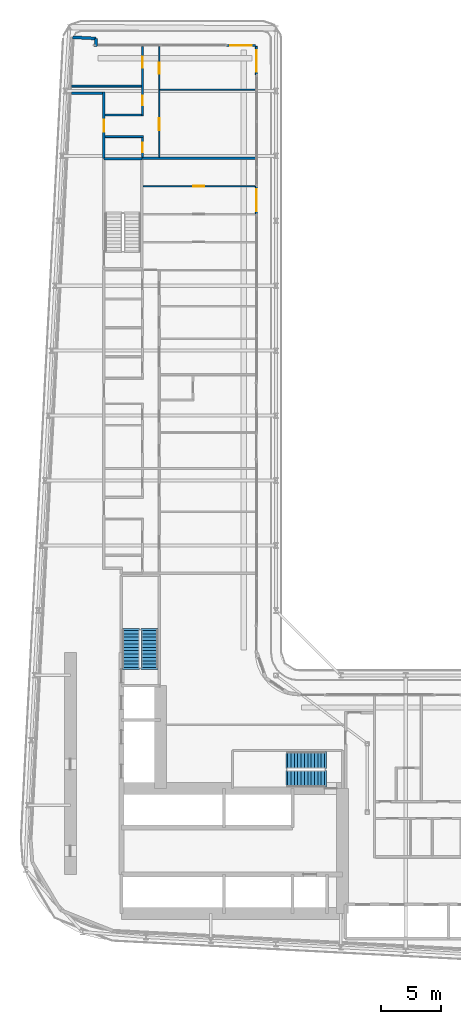
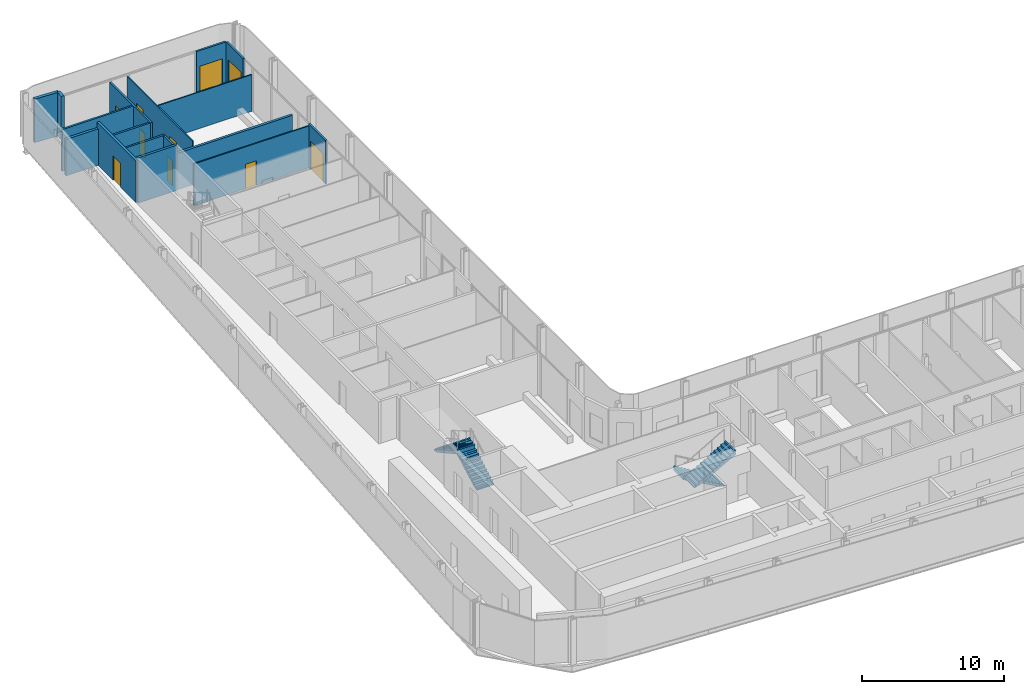
# One storey, part 20 of 28: 17 walls, 10 doors, 4 stair flights, 10 openings, 2 elements without a shape of their own.
"""IFC4 building model written with IfcOpenShell, lengths in metres."""

from ifc_helpers import new_model, si_unit, direction, frame, frame_2d, origin, place, context, subcontext, project, spatial, polyline, rectangle, outline, extrude, source, transform, mapped, material, layer, layer_set, type_object, element, fill, aggregate, save


model = new_model("IFC4")

# Units and contexts
model_context = context("Model", 3, precision=1e-05, world=origin(), true_north=direction((0.0, 1.0)))
body_context = subcontext(model_context, "Body", "Model", "MODEL_VIEW")
ifc_project = project(units=[si_unit("LENGTHUNIT", "METRE"), si_unit("AREAUNIT", "SQUARE_METRE"), si_unit("VOLUMEUNIT", "CUBIC_METRE"), si_unit("PLANEANGLEUNIT", "RADIAN"), si_unit("MASSUNIT", "GRAM", prefix="KILO")], contexts=[model_context])

# Site, building, storey
site_placement = place(None, origin())
site = spatial("IfcSite", under=ifc_project, at=site_placement, CompositionType="ELEMENT")
building_placement = place(site_placement, origin())
building = spatial("IfcBuilding", under=site, at=building_placement, Name="Kheshtan School and Residences Tower", CompositionType="ELEMENT")
storey_placement = place(building_placement, frame((0.0, 0.0, 42.199951171875)))
storey = spatial("IfcBuildingStorey", under=building, at=storey_placement, Name="L09", CompositionType="ELEMENT", Elevation=42.199951171875)

# Wall
ifc_material_1 = material(Name="Gypsum board on steel studs with fire boards", Category="steel")
ifc_layer_1 = layer(ifc_material_1, 0.199951171875)
ifc_layer_set_1 = layer_set([ifc_layer_1], Name="Corridor wall 200")
wall_type_1 = type_object("IfcWallType", Name="Corridor wall 200", PredefinedType="PARTITIONING", material=ifc_layer_set_1)
wall_1_placement = place(storey_placement, frame((30.584716796875, 94.0, 0.0), z_axis=(0.0, 0.0, 1.0), x_axis=(1.0, 0.0, 0.0)))
element("IfcWall", 1, at=wall_1_placement, inside=storey, type_object=wall_type_1, Name="Partition L09-002", PredefinedType="PARTITIONING", context=body_context, shape_type="SweptSolid", body=[
    extrude(rectangle(XDim=2.615234375, YDim=0.199951171875, at=frame_2d((1.3076171875, 0.0))), origin(), (0.0, 0.0, 1.0), 3.14697265625),
])

# Wall, opening, door
wall_2_placement = place(storey_placement, frame((33.300048828125, 88.60009765625, 0.0), z_axis=(0.0, 0.0, 1.0), x_axis=(0.0, 1.0, 0.0)))
wall_2 = element("IfcWall", 2, at=wall_2_placement, inside=storey, type_object=wall_type_1, Name="Partition L09-004", PredefinedType="PARTITIONING", context=body_context, shape_type="SweptSolid", body=[
    extrude(rectangle(XDim=5.5, YDim=0.199951171875, at=frame_2d((2.75, 0.0))), origin(), (0.0, 0.0, 1.0), 3.60009765625),
])
opening_1_placement = place(wall_2_placement, frame((2.199951171875, 0.0, 0.0)))
opening_1 = element("IfcOpeningElement", 3, at=opening_1_placement, cuts=wall_2, Name="Opening D08-052", PredefinedType="OPENING", context=body_context, shape_type="SweptSolid", body=[
    extrude(rectangle(XDim=1.0, YDim=2.10009765625, at=frame_2d((0.5, 1.050048828125))), frame((0.0, 0.10986328125, 0.0), z_axis=(0.0, -1.0, 0.0), x_axis=(1.0, 0.0, 0.0)), (0.0, 0.0, 1.0), 0.219970703125),
])
ifc_material_2 = material(Name="Steel-framed fire-resisting door leaf", Category="steel")
door_type_1 = type_object("IfcDoorType", Name="Fire door FD30S 1000 x 2100", OperationType="SINGLE_SWING_LEFT", PredefinedType="DOOR", material=ifc_material_2)
shared_shape_1 = source(origin(), body_context, "Body", "SweptSolid", [
    extrude(rectangle(XDim=1.0, YDim=2.10009765625, at=frame_2d((0.5, 1.050048828125))), frame((0.0, 0.02490234375, 0.0), z_axis=(0.0, -1.0, 0.0), x_axis=(1.0, 0.0, 0.0)), (0.0, 0.0, 1.0), 0.050048828125),
])
door_1_placement = place(opening_1_placement, origin())
door_1 = element("IfcDoor", 4, at=door_1_placement, inside=storey, type_object=door_type_1, Name="Door D08-052", OperationType="SINGLE_SWING_LEFT", OverallHeight=2.10009765625, OverallWidth=1.0, PredefinedType="DOOR", context=body_context, shape_type="MappedRepresentation", body=[
    mapped(shared_shape_1, transform((0.0, 0.0, 0.0), x_axis=(1.0, 0.0, 0.0), y_axis=(0.0, 1.0, 0.0), z_axis=(0.0, 0.0, 1.0), scale=1.0)),
])
fill(opening_1, door_1)

# Walls
ifc_material_3 = material(Name="Concrete C40/50 with ceramic cladding and mineral wool insulation", Category="concrete")
ifc_layer_2 = layer(ifc_material_3, 0.25)
ifc_layer_set_2 = layer_set([ifc_layer_2], Name="External wall 250 ceramic clad")
wall_type_2 = type_object("IfcWallType", Name="External wall 250 ceramic clad", PredefinedType="SOLIDWALL", material=ifc_layer_set_2)
wall_3_placement = place(storey_placement, frame((30.705078125, 98.6640625, 0.0), z_axis=(0.0, 0.0, 1.0), x_axis=(0.998577785791, -0.053314216913, 0.0)))
element("IfcWall", 5, at=wall_3_placement, inside=storey, type_object=wall_type_2, Name="External wall L09 5", PredefinedType="SOLIDWALL", context=body_context, shape_type="SweptSolid", body=[
    extrude(rectangle(XDim=1.95068359375, YDim=0.25, at=frame_2d((0.975341796875, 0.0))), origin(), (0.0, 0.0, 1.0), 3.75),
])
wall_4_placement = place(storey_placement, frame((32.653076171875, 98.56005859375, 0.0), z_axis=(0.0, 0.0, 1.0), x_axis=(-0.054093451632, -0.998535877418, 0.0)))
element("IfcWall", 6, at=wall_4_placement, inside=storey, type_object=wall_type_2, Name="External wall L09 6", PredefinedType="SOLIDWALL", context=body_context, shape_type="SweptSolid", body=[
    extrude(rectangle(XDim=0.66796875, YDim=0.25, at=frame_2d((0.333984375, 0.0))), origin(), (0.0, 0.0, 1.0), 3.75),
])

# Wall, opening, door
ifc_material_4 = material(Name="Aluminium frame wall with insulated infill", Category="aluminium")
ifc_layer_3 = layer(ifc_material_4, 0.14990234375)
ifc_layer_set_3 = layer_set([ifc_layer_3], Name="Glazing frame wall 150")
wall_type_3 = type_object("IfcWallType", Name="Glazing frame wall 150", PredefinedType="SOLIDWALL", material=ifc_layer_set_3)
wall_5_placement = place(storey_placement, frame((43.5, 97.97509765625, 0.0), z_axis=(0.0, 0.0, 1.0), x_axis=(1.0, 0.0, 0.0)))
wall_5 = element("IfcWall", 7, at=wall_5_placement, inside=storey, type_object=wall_type_3, Name="Balcony door wall L09 7.1", PredefinedType="SOLIDWALL", context=body_context, shape_type="SweptSolid", body=[
    extrude(rectangle(XDim=2.39990234375, YDim=0.14990234375, at=frame_2d((1.199951171875, 0.0))), origin(), (0.0, 0.0, 1.0), 3.75),
])
opening_2_placement = place(wall_5_placement, frame((0.300048828125, 0.0, 0.0)))
opening_2 = element("IfcOpeningElement", 8, at=opening_2_placement, cuts=wall_5, Name="Opening BD", PredefinedType="OPENING", context=body_context, shape_type="SweptSolid", body=[
    extrude(rectangle(XDim=1.800048828125, YDim=2.39990234375, at=frame_2d((0.89990234375, 1.199951171875))), frame((0.0, 0.0849609375, 0.0), z_axis=(0.0, -1.0, 0.0), x_axis=(1.0, 0.0, 0.0)), (0.0, 0.0, 1.0), 0.169921875),
])
ifc_material_5 = material(Name="Clear low-e glass in thermally broken aluminium frame", Category="aluminium")
door_type_2 = type_object("IfcDoorType", Name="Balcony sliding door", OperationType="SLIDING_TO_LEFT", PredefinedType="DOOR", material=ifc_material_5)
shared_shape_2 = source(origin(), body_context, "Body", "SweptSolid", [
    extrude(rectangle(XDim=1.800048828125, YDim=2.39990234375, at=frame_2d((0.89990234375, 1.199951171875))), frame((0.0, 0.02490234375, 0.0), z_axis=(0.0, -1.0, 0.0), x_axis=(1.0, 0.0, 0.0)), (0.0, 0.0, 1.0), 0.050048828125),
])
door_2_placement = place(opening_2_placement, origin())
door_2 = element("IfcDoor", 9, at=door_2_placement, inside=storey, type_object=door_type_2, Name="Balcony door L09 7.1", OperationType="SLIDING_TO_LEFT", OverallHeight=2.39990234375, OverallWidth=1.800048828125, PredefinedType="DOOR", context=body_context, shape_type="MappedRepresentation", body=[
    mapped(shared_shape_2, transform((0.0, 0.0, 0.0), x_axis=(1.0, 0.0, 0.0), y_axis=(0.0, 1.0, 0.0), z_axis=(0.0, 0.0, 1.0), scale=1.0)),
])
fill(opening_2, door_2)

wall_6_placement = place(storey_placement, frame((45.97509765625, 97.89990234375, 0.0), z_axis=(0.0, 0.0, 1.0), x_axis=(0.0, -1.0, 0.0)))
wall_6 = element("IfcWall", 10, at=wall_6_placement, inside=storey, type_object=wall_type_3, Name="Balcony door wall L09 8.1", PredefinedType="SOLIDWALL", context=body_context, shape_type="SweptSolid", body=[
    extrude(rectangle(XDim=2.39990234375, YDim=0.14990234375, at=frame_2d((1.199951171875, 0.0))), origin(), (0.0, 0.0, 1.0), 3.75),
])
opening_3_placement = place(wall_6_placement, frame((0.300048828125, 0.0, 0.0)))
opening_3 = element("IfcOpeningElement", 11, at=opening_3_placement, cuts=wall_6, Name="Opening BD", PredefinedType="OPENING", context=body_context, shape_type="SweptSolid", body=[
    extrude(rectangle(XDim=1.800048828125, YDim=2.39990234375, at=frame_2d((0.89990234375, 1.199951171875))), frame((0.0, 0.0849609375, 0.0), z_axis=(0.0, -1.0, 0.0), x_axis=(1.0, 0.0, 0.0)), (0.0, 0.0, 1.0), 0.169921875),
])
door_3_placement = place(opening_3_placement, origin())
door_3 = element("IfcDoor", 12, at=door_3_placement, inside=storey, type_object=door_type_2, Name="Balcony door L09 8.1", OperationType="SLIDING_TO_LEFT", OverallHeight=2.39990234375, OverallWidth=1.800048828125, PredefinedType="DOOR", context=body_context, shape_type="MappedRepresentation", body=[
    mapped(shared_shape_2, transform((0.0, 0.0, 0.0), x_axis=(1.0, 0.0, 0.0), y_axis=(0.0, 1.0, 0.0), z_axis=(0.0, 0.0, 1.0), scale=1.0)),
])
fill(opening_3, door_3)

wall_7_placement = place(storey_placement, frame((45.97509765625, 86.305908203125, 0.0), z_axis=(0.0, 0.0, 1.0), x_axis=(0.0, -1.0, 0.0)))
wall_7 = element("IfcWall", 13, at=wall_7_placement, inside=storey, type_object=wall_type_3, Name="Balcony door wall L09 8.2", PredefinedType="SOLIDWALL", context=body_context, shape_type="SweptSolid", body=[
    extrude(rectangle(XDim=2.39990234375, YDim=0.14990234375, at=frame_2d((1.199951171875, 0.0))), origin(), (0.0, 0.0, 1.0), 3.75),
])
opening_4_placement = place(wall_7_placement, frame((0.300048828125, 0.0, 0.0)))
opening_4 = element("IfcOpeningElement", 14, at=opening_4_placement, cuts=wall_7, Name="Opening BD", PredefinedType="OPENING", context=body_context, shape_type="SweptSolid", body=[
    extrude(rectangle(XDim=1.800048828125, YDim=2.39990234375, at=frame_2d((0.89990234375, 1.199951171875))), frame((0.0, 0.0849609375, 0.0), z_axis=(0.0, -1.0, 0.0), x_axis=(1.0, 0.0, 0.0)), (0.0, 0.0, 1.0), 0.169921875),
])
door_4_placement = place(opening_4_placement, origin())
door_4 = element("IfcDoor", 15, at=door_4_placement, inside=storey, type_object=door_type_2, Name="Balcony door L09 8.2", OperationType="SLIDING_TO_LEFT", OverallHeight=2.39990234375, OverallWidth=1.800048828125, PredefinedType="DOOR", context=body_context, shape_type="MappedRepresentation", body=[
    mapped(shared_shape_2, transform((0.0, 0.0, 0.0), x_axis=(1.0, 0.0, 0.0), y_axis=(0.0, 1.0, 0.0), z_axis=(0.0, 0.0, 1.0), scale=1.0)),
])
fill(opening_4, door_4)

ifc_material_6 = material(Name="Gypsum board on steel studs", Category="steel")
ifc_layer_4 = layer(ifc_material_6, 0.10009765625)
ifc_layer_set_4 = layer_set([ifc_layer_4], Name="Gypsum partition 100")
wall_type_4 = type_object("IfcWallType", Name="Gypsum partition 100", PredefinedType="PARTITIONING", material=ifc_layer_set_4)
wall_8_placement = place(storey_placement, frame((36.549072265625, 86.27490234375, 0.0), z_axis=(0.0, 0.0, 1.0), x_axis=(1.0, 0.0, 0.0)))
wall_8 = element("IfcWall", 16, at=wall_8_placement, inside=storey, type_object=wall_type_4, Name="Partition L09-031", PredefinedType="PARTITIONING", context=body_context, shape_type="SweptSolid", body=[
    extrude(rectangle(XDim=9.350830078125, YDim=0.10009765625, at=frame_2d((4.67529296875, 0.0))), origin(), (0.0, 0.0, 1.0), 3.60009765625),
])
opening_5_placement = place(wall_8_placement, frame((4.176025390625, 0.0, 0.0)))
opening_5 = element("IfcOpeningElement", 17, at=opening_5_placement, cuts=wall_8, Name="Opening D08-049", PredefinedType="OPENING", context=body_context, shape_type="SweptSolid", body=[
    extrude(rectangle(XDim=0.89990234375, YDim=2.10009765625, at=frame_2d((0.449951171875, 1.050048828125))), frame((0.0, 0.06005859375, 0.0), z_axis=(0.0, -1.0, 0.0), x_axis=(1.0, 0.0, 0.0)), (0.0, 0.0, 1.0), 0.1201171875),
])
ifc_material_7 = material(Name="Veneered timber door leaf", Category="wood")
door_type_3 = type_object("IfcDoorType", Name="Door 900 x 2100", OperationType="SINGLE_SWING_LEFT", PredefinedType="DOOR", material=ifc_material_7)
shared_shape_3 = source(origin(), body_context, "Body", "SweptSolid", [
    extrude(rectangle(XDim=0.89990234375, YDim=2.10009765625, at=frame_2d((0.449951171875, 1.050048828125))), frame((0.0, 0.02490234375, 0.0), z_axis=(0.0, -1.0, 0.0), x_axis=(1.0, 0.0, 0.0)), (0.0, 0.0, 1.0), 0.050048828125),
])
door_5_placement = place(opening_5_placement, origin())
door_5 = element("IfcDoor", 18, at=door_5_placement, inside=storey, type_object=door_type_3, Name="Door D08-049", OperationType="SINGLE_SWING_RIGHT", OverallHeight=2.10009765625, OverallWidth=0.89990234375, PredefinedType="DOOR", context=body_context, shape_type="MappedRepresentation", body=[
    mapped(shared_shape_3, transform((0.0, 0.0, 0.0), x_axis=(1.0, 0.0, 0.0), y_axis=(0.0, 1.0, 0.0), z_axis=(0.0, 0.0, 1.0), scale=1.0)),
])
fill(opening_5, door_5)

# Wall, openings, doors
wall_9_placement = place(storey_placement, frame((37.89990234375, 88.699951171875, 0.0), z_axis=(0.0, 0.0, 1.0), x_axis=(0.0, 1.0, 0.0)))
wall_9 = element("IfcWall", 19, at=wall_9_placement, inside=storey, type_object=wall_type_4, Name="Partition L09-034", PredefinedType="PARTITIONING", context=body_context, shape_type="SweptSolid", body=[
    extrude(rectangle(XDim=9.199951171875, YDim=0.10009765625, at=frame_2d((4.60009765625, 0.0))), origin(), (0.0, 0.0, 1.0), 3.60009765625),
])
opening_6_placement = place(wall_9_placement, frame((6.949951171875, 0.0, 0.0)))
opening_6 = element("IfcOpeningElement", 20, at=opening_6_placement, cuts=wall_9, Name="Opening D08-051", PredefinedType="OPENING", context=body_context, shape_type="SweptSolid", body=[
    extrude(rectangle(XDim=0.89990234375, YDim=2.10009765625, at=frame_2d((0.449951171875, 1.050048828125))), frame((0.0, 0.06005859375, 0.0), z_axis=(0.0, -1.0, 0.0), x_axis=(1.0, 0.0, 0.0)), (0.0, 0.0, 1.0), 0.1201171875),
])
opening_7_placement = place(wall_9_placement, frame((2.25, 0.0, 0.0)))
opening_7 = element("IfcOpeningElement", 21, at=opening_7_placement, cuts=wall_9, Name="Opening D08-054", PredefinedType="OPENING", context=body_context, shape_type="SweptSolid", body=[
    extrude(rectangle(XDim=1.0, YDim=2.10009765625, at=frame_2d((0.5, 1.050048828125))), frame((0.0, 0.06005859375, 0.0), z_axis=(0.0, -1.0, 0.0), x_axis=(1.0, 0.0, 0.0)), (0.0, 0.0, 1.0), 0.1201171875),
])
door_type_4 = type_object("IfcDoorType", Name="Door 1000 x 2100", OperationType="SINGLE_SWING_LEFT", PredefinedType="DOOR", material=ifc_material_7)
shared_shape_4 = source(origin(), body_context, "Body", "SweptSolid", [
    extrude(rectangle(XDim=1.0, YDim=2.10009765625, at=frame_2d((0.5, 1.050048828125))), frame((0.0, 0.02490234375, 0.0), z_axis=(0.0, -1.0, 0.0), x_axis=(1.0, 0.0, 0.0)), (0.0, 0.0, 1.0), 0.050048828125),
])
door_6_placement = place(opening_7_placement, origin())
door_6 = element("IfcDoor", 22, at=door_6_placement, inside=storey, type_object=door_type_4, Name="Door D08-054", OperationType="SINGLE_SWING_RIGHT", OverallHeight=2.10009765625, OverallWidth=1.0, PredefinedType="DOOR", context=body_context, shape_type="MappedRepresentation", body=[
    mapped(shared_shape_4, transform((0.0, 0.0, 0.0), x_axis=(1.0, 0.0, 0.0), y_axis=(0.0, 1.0, 0.0), z_axis=(0.0, 0.0, 1.0), scale=1.0)),
])
fill(opening_7, door_6)
door_7_placement = place(opening_6_placement, origin())
door_7 = element("IfcDoor", 23, at=door_7_placement, inside=storey, type_object=door_type_3, Name="Door D08-051", OperationType="SINGLE_SWING_RIGHT", OverallHeight=2.10009765625, OverallWidth=0.89990234375, PredefinedType="DOOR", context=body_context, shape_type="MappedRepresentation", body=[
    mapped(shared_shape_3, transform((0.0, 0.0, 0.0), x_axis=(1.0, 0.0, 0.0), y_axis=(0.0, 1.0, 0.0), z_axis=(0.0, 0.0, 1.0), scale=1.0)),
])
fill(opening_6, door_7)

# Walls
wall_10_placement = place(storey_placement, frame((37.949951171875, 94.300048828125, 0.0), z_axis=(0.0, 0.0, 1.0), x_axis=(1.0, 0.0, 0.0)))
element("IfcWall", 24, at=wall_10_placement, inside=storey, type_object=wall_type_4, Name="Partition L09-035", PredefinedType="PARTITIONING", context=body_context, shape_type="SweptSolid", body=[
    extrude(rectangle(XDim=7.949951171875, YDim=0.10009765625, at=frame_2d((3.97509765625, 0.0))), origin(), (0.0, 0.0, 1.0), 3.14697265625),
])
ifc_material_8 = material(Name="Concrete C40/50", Category="concrete")
ifc_layer_5 = layer(ifc_material_8, 0.199951171875)
ifc_layer_set_5 = layer_set([ifc_layer_5], Name="Stair enclosure wall 200 Concrete C40/50")
wall_type_5 = type_object("IfcWallType", Name="Stair enclosure wall 200 Concrete C40/50", PredefinedType="SHEAR", material=ifc_layer_set_5)
wall_11_placement = place(storey_placement, frame((33.300048828125, 88.56005859375, 0.0), z_axis=(0.0, 0.0, 1.0), x_axis=(1.0, 0.0, 0.0)))
element("IfcWall", 25, at=wall_11_placement, inside=storey, type_object=wall_type_5, Name="Stair enclosure wall ST3", PredefinedType="SHEAR", context=body_context, shape_type="SweptSolid", body=[
    extrude(rectangle(XDim=3.14990234375, YDim=0.199951171875, at=frame_2d((1.574951171875, 0.0))), origin(), (0.0, 0.0, 1.0), 3.900146484375),
])
ifc_material_9 = material(Name="Twin gypsum board on steel studs with mineral wool", Category="steel")
ifc_layer_6 = layer(ifc_material_9, 0.199951171875)
ifc_layer_set_6 = layer_set([ifc_layer_6], Name="Unit demising wall 200")
wall_type_6 = type_object("IfcWallType", Name="Unit demising wall 200", PredefinedType="PARTITIONING", material=ifc_layer_set_6)
wall_12_placement = place(storey_placement, frame((36.425048828125, 88.60009765625, 0.0), z_axis=(0.0, 0.0, 1.0), x_axis=(1.0, 0.0, 0.0)))
element("IfcWall", 26, at=wall_12_placement, inside=storey, type_object=wall_type_6, Name="Partition L09-021", PredefinedType="PARTITIONING", context=body_context, shape_type="SweptSolid", body=[
    extrude(rectangle(XDim=9.474853515625, YDim=0.199951171875, at=frame_2d((4.7373046875, 0.0))), origin(), (0.0, 0.0, 1.0), 3.14697265625),
])
ifc_material_10 = material(Name="Moisture-resistant gypsum board on steel studs", Category="steel")
ifc_layer_7 = layer(ifc_material_10, 0.14990234375)
ifc_layer_set_7 = layer_set([ifc_layer_7], Name="Wet-room partition 150")
wall_type_7 = type_object("IfcWallType", Name="Wet-room partition 150", PredefinedType="PARTITIONING", material=ifc_layer_set_7)
wall_13_placement = place(storey_placement, frame((30.616943359375, 94.60009765625, 0.0), z_axis=(0.0, 0.0, 1.0), x_axis=(1.0, 0.0, 0.0)))
element("IfcWall", 27, at=wall_13_placement, inside=storey, type_object=wall_type_7, Name="Partition L09-001", PredefinedType="PARTITIONING", context=body_context, shape_type="SweptSolid", body=[
    extrude(rectangle(XDim=5.80810546875, YDim=0.14990234375, at=frame_2d((2.904052734375, 0.0))), origin(), (0.0, 0.0, 1.0), 3.60009765625),
])
wall_14_placement = place(storey_placement, frame((33.39990234375, 90.39990234375, 0.0), z_axis=(0.0, 0.0, 1.0), x_axis=(1.0, 0.0, 0.0)))
element("IfcWall", 28, at=wall_14_placement, inside=storey, type_object=wall_type_7, Name="Partition L09-017", PredefinedType="PARTITIONING", context=body_context, shape_type="SweptSolid", body=[
    extrude(rectangle(XDim=3.175048828125, YDim=0.14990234375, at=frame_2d((1.58740234375, 0.0))), origin(), (0.0, 0.0, 1.0), 3.60009765625),
])
wall_15_placement = place(storey_placement, frame((33.39990234375, 92.199951171875, 0.0), z_axis=(0.0, 0.0, 1.0), x_axis=(1.0, 0.0, 0.0)))
element("IfcWall", 29, at=wall_15_placement, inside=storey, type_object=wall_type_7, Name="Partition L09-018", PredefinedType="PARTITIONING", context=body_context, shape_type="SweptSolid", body=[
    extrude(rectangle(XDim=3.025146484375, YDim=0.14990234375, at=frame_2d((1.5126953125, 0.0))), origin(), (0.0, 0.0, 1.0), 3.60009765625),
])

# Wall, opening, door
wall_16_placement = place(storey_placement, frame((36.5, 88.699951171875, 0.0), z_axis=(0.0, 0.0, 1.0), x_axis=(0.0, 1.0, 0.0)))
wall_16 = element("IfcWall", 30, at=wall_16_placement, inside=storey, type_object=wall_type_7, Name="Partition L09-027", PredefinedType="PARTITIONING", context=body_context, shape_type="SweptSolid", body=[
    extrude(rectangle(XDim=1.625, YDim=0.14990234375, at=frame_2d((0.8125, 0.0))), origin(), (0.0, 0.0, 1.0), 3.60009765625),
])
opening_8_placement = place(wall_16_placement, frame((0.39990234375, 0.0, 0.0)))
opening_8 = element("IfcOpeningElement", 31, at=opening_8_placement, cuts=wall_16, Name="Opening D08-055", PredefinedType="OPENING", context=body_context, shape_type="SweptSolid", body=[
    extrude(rectangle(XDim=0.800048828125, YDim=2.10009765625, at=frame_2d((0.39990234375, 1.050048828125))), frame((0.0, 0.0849609375, 0.0), z_axis=(0.0, -1.0, 0.0), x_axis=(1.0, 0.0, 0.0)), (0.0, 0.0, 1.0), 0.169921875),
])
door_type_5 = type_object("IfcDoorType", Name="Door 800 x 2100", OperationType="SINGLE_SWING_LEFT", PredefinedType="DOOR", material=ifc_material_7)
shared_shape_5 = source(origin(), body_context, "Body", "SweptSolid", [
    extrude(rectangle(XDim=0.800048828125, YDim=2.10009765625, at=frame_2d((0.39990234375, 1.050048828125))), frame((0.0, 0.02490234375, 0.0), z_axis=(0.0, -1.0, 0.0), x_axis=(1.0, 0.0, 0.0)), (0.0, 0.0, 1.0), 0.050048828125),
])
door_8_placement = place(opening_8_placement, origin())
door_8 = element("IfcDoor", 32, at=door_8_placement, inside=storey, type_object=door_type_5, Name="Door D08-055", OperationType="SINGLE_SWING_RIGHT", OverallHeight=2.10009765625, OverallWidth=0.800048828125, PredefinedType="DOOR", context=body_context, shape_type="MappedRepresentation", body=[
    mapped(shared_shape_5, transform((0.0, 0.0, 0.0), x_axis=(1.0, 0.0, 0.0), y_axis=(0.0, 1.0, 0.0), z_axis=(0.0, 0.0, 1.0), scale=1.0)),
])
fill(opening_8, door_8)

# Wall, openings, doors
wall_17_placement = place(storey_placement, frame((36.5, 92.125, 0.0), z_axis=(0.0, 0.0, 1.0), x_axis=(0.0, 1.0, 0.0)))
wall_17 = element("IfcWall", 33, at=wall_17_placement, inside=storey, type_object=wall_type_7, Name="Partition L09-028", PredefinedType="PARTITIONING", context=body_context, shape_type="SweptSolid", body=[
    extrude(rectangle(XDim=5.77490234375, YDim=0.14990234375, at=frame_2d((2.887451171875, 0.0))), origin(), (0.0, 0.0, 1.0), 3.60009765625),
])
opening_9_placement = place(wall_17_placement, frame((0.875, 0.0, 0.0)))
opening_9 = element("IfcOpeningElement", 34, at=opening_9_placement, cuts=wall_17, Name="Opening D08-050", PredefinedType="OPENING", context=body_context, shape_type="SweptSolid", body=[
    extrude(rectangle(XDim=0.800048828125, YDim=2.10009765625, at=frame_2d((0.39990234375, 1.050048828125))), frame((0.0, 0.0849609375, 0.0), z_axis=(0.0, -1.0, 0.0), x_axis=(1.0, 0.0, 0.0)), (0.0, 0.0, 1.0), 0.169921875),
])
opening_10_placement = place(wall_17_placement, frame((4.02490234375, 0.0, 0.0)))
opening_10 = element("IfcOpeningElement", 35, at=opening_10_placement, cuts=wall_17, Name="Opening D08-053", PredefinedType="OPENING", context=body_context, shape_type="SweptSolid", body=[
    extrude(rectangle(XDim=0.89990234375, YDim=2.10009765625, at=frame_2d((0.449951171875, 1.050048828125))), frame((0.0, 0.0849609375, 0.0), z_axis=(0.0, -1.0, 0.0), x_axis=(1.0, 0.0, 0.0)), (0.0, 0.0, 1.0), 0.169921875),
])
door_9_placement = place(opening_9_placement, origin())
door_9 = element("IfcDoor", 36, at=door_9_placement, inside=storey, type_object=door_type_5, Name="Door D08-050", OperationType="SINGLE_SWING_LEFT", OverallHeight=2.10009765625, OverallWidth=0.800048828125, PredefinedType="DOOR", context=body_context, shape_type="MappedRepresentation", body=[
    mapped(shared_shape_5, transform((0.0, 0.0, 0.0), x_axis=(1.0, 0.0, 0.0), y_axis=(0.0, 1.0, 0.0), z_axis=(0.0, 0.0, 1.0), scale=1.0)),
])
fill(opening_9, door_9)
door_10_placement = place(opening_10_placement, origin())
door_10 = element("IfcDoor", 37, at=door_10_placement, inside=storey, type_object=door_type_3, Name="Door D08-053", OperationType="SINGLE_SWING_RIGHT", OverallHeight=2.10009765625, OverallWidth=0.89990234375, PredefinedType="DOOR", context=body_context, shape_type="MappedRepresentation", body=[
    mapped(shared_shape_3, transform((0.0, 0.0, 0.0), x_axis=(1.0, 0.0, 0.0), y_axis=(0.0, 1.0, 0.0), z_axis=(0.0, 0.0, 1.0), scale=1.0)),
])
fill(opening_10, door_10)

# Stair, stair flights
stair_type = type_object("IfcStairType", Name="Exit stair, half-turn", PredefinedType="HALF_TURN_STAIR", material=ifc_material_8)
stair_1_placement = place(storey_placement, origin())
stair_1 = element("IfcStair", 38, at=stair_1_placement, inside=storey, type_object=stair_type, Name="L09 Protected Exit Stair ST1", PredefinedType="HALF_TURN_STAIR")
ifc_layer_8 = layer(ifc_material_8, 0.14990234375)
ifc_layer_set_8 = layer_set([ifc_layer_8], Name="Stair flight 1400 Concrete C40/50")
stair_flight_type = type_object("IfcStairFlightType", Name="Stair flight 1400 Concrete C40/50", PredefinedType="STRAIGHT", material=ifc_layer_set_8)
stair_flight_1_placement = place(storey_placement, frame((51.64990234375, 38.550048828125, 0.0), z_axis=(0.0, 0.0, 1.0), x_axis=(-1.0, 0.0, 0.0)))
stair_flight_1 = element("IfcStairFlight", 39, at=stair_flight_1_placement, type_object=stair_flight_type, Name="ST1 flight 1", NumberOfRisers=12, NumberOfTreads=11, PredefinedType="STRAIGHT", RiserHeight=0.1625, TreadLength=0.28, context=body_context, shape_type="SweptSolid", body=[
    extrude(outline(polyline([(-0.14990234375, -0.10009765625), (-0.14990234375, 0.0), (0.0, 0.0), (0.0, 0.16259765625), (0.280029296875, 0.16259765625), (0.280029296875, 0.324951171875), (0.56005859375, 0.324951171875), (0.56005859375, 0.487548828125), (0.840087890625, 0.487548828125), (0.840087890625, 0.64990234375), (1.1201171875, 0.64990234375), (1.1201171875, 0.8125), (1.39990234375, 0.8125), (1.39990234375, 0.97509765625), (1.679931640625, 0.97509765625), (1.679931640625, 1.137451171875), (1.9599609375, 1.137451171875), (1.9599609375, 1.300048828125), (2.239990234375, 1.300048828125), (2.239990234375, 1.46240234375), (2.52001953125, 1.46240234375), (2.52001953125, 1.625), (2.800048828125, 1.625), (2.800048828125, 1.78759765625), (3.080078125, 1.78759765625), (3.080078125, 1.949951171875), (3.080078125, 1.969970703125), (3.22998046875, 1.969970703125), (3.22998046875, 1.6142578125), (0.298583984375, 0.0), (-0.14990234375, -0.10009765625)])), frame((0.0, 0.699951171875, 0.0), z_axis=(0.0, -1.0, 0.0), x_axis=(1.0, 0.0, 0.0)), (0.0, 0.0, 1.0), 1.39990234375),
])
stair_flight_2_placement = place(storey_placement, frame((48.570068359375, 37.0, 1.949951171875), z_axis=(0.0, 0.0, 1.0), x_axis=(1.0, 0.0, 0.0)))
stair_flight_2 = element("IfcStairFlight", 40, at=stair_flight_2_placement, type_object=stair_flight_type, Name="ST1 flight 2", NumberOfRisers=12, NumberOfTreads=11, PredefinedType="STRAIGHT", RiserHeight=0.1625, TreadLength=0.28, context=body_context, shape_type="SweptSolid", body=[
    extrude(outline(polyline([(-0.14990234375, -0.10009765625), (-0.14990234375, 0.0), (0.0, 0.0), (0.0, 0.16259765625), (0.280029296875, 0.16259765625), (0.280029296875, 0.324951171875), (0.56005859375, 0.324951171875), (0.56005859375, 0.487548828125), (0.840087890625, 0.487548828125), (0.840087890625, 0.64990234375), (1.1201171875, 0.64990234375), (1.1201171875, 0.8125), (1.39990234375, 0.8125), (1.39990234375, 0.97509765625), (1.679931640625, 0.97509765625), (1.679931640625, 1.137451171875), (1.9599609375, 1.137451171875), (1.9599609375, 1.300048828125), (2.239990234375, 1.300048828125), (2.239990234375, 1.46240234375), (2.52001953125, 1.46240234375), (2.52001953125, 1.625), (2.800048828125, 1.625), (2.800048828125, 1.78759765625), (3.080078125, 1.78759765625), (3.080078125, 1.949951171875), (3.080078125, 1.969970703125), (3.22998046875, 1.969970703125), (3.22998046875, 1.6142578125), (0.298583984375, 0.0), (-0.14990234375, -0.10009765625)])), frame((0.0, 0.699951171875, 0.0), z_axis=(0.0, -1.0, 0.0), x_axis=(1.0, 0.0, 0.0)), (0.0, 0.0, 1.0), 1.39990234375),
])
aggregate(stair_1, [stair_flight_1, stair_flight_2])

stair_2_placement = place(storey_placement, origin())
stair_2 = element("IfcStair", 41, at=stair_2_placement, inside=storey, type_object=stair_type, Name="L09 Protected Exit Stair ST2", PredefinedType="HALF_TURN_STAIR")
stair_flight_3_placement = place(storey_placement, frame((37.10009765625, 46.25, 0.0), z_axis=(0.0, 0.0, 1.0), x_axis=(0.0, 1.0, 0.0)))
stair_flight_3 = element("IfcStairFlight", 42, at=stair_flight_3_placement, type_object=stair_flight_type, Name="ST2 flight 1", NumberOfRisers=12, NumberOfTreads=11, PredefinedType="STRAIGHT", RiserHeight=0.1625, TreadLength=0.28, context=body_context, shape_type="SweptSolid", body=[
    extrude(outline(polyline([(-0.14990234375, -0.10009765625), (-0.14990234375, 0.0), (0.0, 0.0), (0.0, 0.16259765625), (0.280029296875, 0.16259765625), (0.280029296875, 0.324951171875), (0.56005859375, 0.324951171875), (0.56005859375, 0.487548828125), (0.840087890625, 0.487548828125), (0.840087890625, 0.64990234375), (1.1201171875, 0.64990234375), (1.1201171875, 0.8125), (1.39990234375, 0.8125), (1.39990234375, 0.97509765625), (1.679931640625, 0.97509765625), (1.679931640625, 1.137451171875), (1.9599609375, 1.137451171875), (1.9599609375, 1.300048828125), (2.239990234375, 1.300048828125), (2.239990234375, 1.46240234375), (2.52001953125, 1.46240234375), (2.52001953125, 1.625), (2.800048828125, 1.625), (2.800048828125, 1.78759765625), (3.080078125, 1.78759765625), (3.080078125, 1.949951171875), (3.080078125, 1.969970703125), (3.22998046875, 1.969970703125), (3.22998046875, 1.6142578125), (0.298583984375, 0.0), (-0.14990234375, -0.10009765625)])), frame((0.0, 0.699951171875, 0.0), z_axis=(0.0, -1.0, 0.0), x_axis=(1.0, 0.0, 0.0)), (0.0, 0.0, 1.0), 1.39990234375),
])
stair_flight_4_placement = place(storey_placement, frame((35.550048828125, 49.330078125, 1.949951171875), z_axis=(0.0, 0.0, 1.0), x_axis=(0.0, -1.0, 0.0)))
stair_flight_4 = element("IfcStairFlight", 43, at=stair_flight_4_placement, type_object=stair_flight_type, Name="ST2 flight 2", NumberOfRisers=12, NumberOfTreads=11, PredefinedType="STRAIGHT", RiserHeight=0.1625, TreadLength=0.28, context=body_context, shape_type="SweptSolid", body=[
    extrude(outline(polyline([(-0.14990234375, -0.10009765625), (-0.14990234375, 0.0), (0.0, 0.0), (0.0, 0.16259765625), (0.280029296875, 0.16259765625), (0.280029296875, 0.324951171875), (0.56005859375, 0.324951171875), (0.56005859375, 0.487548828125), (0.840087890625, 0.487548828125), (0.840087890625, 0.64990234375), (1.1201171875, 0.64990234375), (1.1201171875, 0.8125), (1.39990234375, 0.8125), (1.39990234375, 0.97509765625), (1.679931640625, 0.97509765625), (1.679931640625, 1.137451171875), (1.9599609375, 1.137451171875), (1.9599609375, 1.300048828125), (2.239990234375, 1.300048828125), (2.239990234375, 1.46240234375), (2.52001953125, 1.46240234375), (2.52001953125, 1.625), (2.800048828125, 1.625), (2.800048828125, 1.78759765625), (3.080078125, 1.78759765625), (3.080078125, 1.949951171875), (3.080078125, 1.969970703125), (3.22998046875, 1.969970703125), (3.22998046875, 1.6142578125), (0.298583984375, 0.0), (-0.14990234375, -0.10009765625)])), frame((0.0, 0.699951171875, 0.0), z_axis=(0.0, -1.0, 0.0), x_axis=(1.0, 0.0, 0.0)), (0.0, 0.0, 1.0), 1.39990234375),
])
aggregate(stair_2, [stair_flight_3, stair_flight_4])

save(model, "model.ifc")
